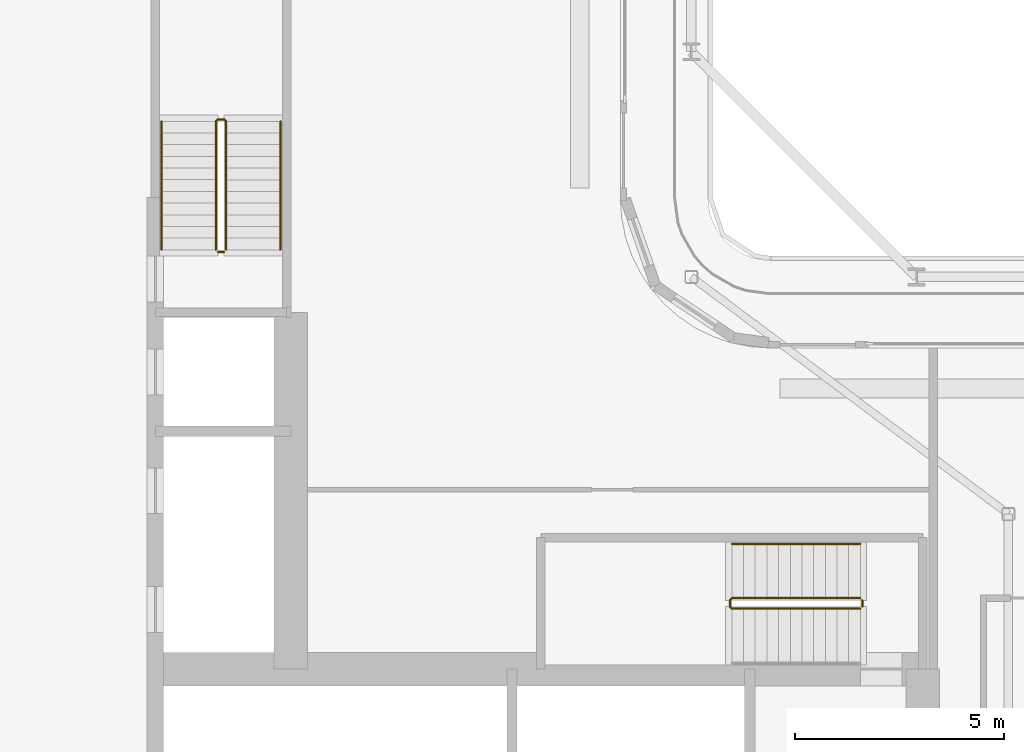
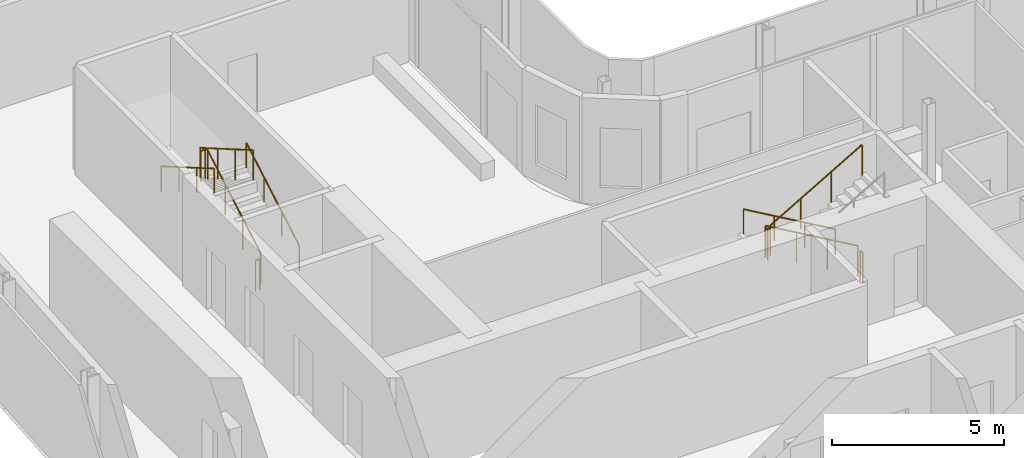
# One storey, part 25 of 30: 7 railings.
"""IFC4 building model written with IfcOpenShell, lengths in metres."""

from ifc_helpers import new_model, si_unit, direction, frame, origin, origin_2d, place, context, subcontext, project, spatial, circle, extrude, material, type_object, element, save


model = new_model("IFC4")

# Units and contexts
model_context = context("Model", 3, precision=1e-05, world=origin(), true_north=direction((0.0, 1.0)))
body_context = subcontext(model_context, "Body", "Model", "MODEL_VIEW")
ifc_project = project(units=[si_unit("LENGTHUNIT", "METRE"), si_unit("AREAUNIT", "SQUARE_METRE"), si_unit("VOLUMEUNIT", "CUBIC_METRE"), si_unit("PLANEANGLEUNIT", "RADIAN"), si_unit("MASSUNIT", "GRAM", prefix="KILO")], contexts=[model_context])

# Site, building, storey
site_placement = place(None, origin())
site = spatial("IfcSite", under=ifc_project, at=site_placement, CompositionType="ELEMENT")
building_placement = place(site_placement, origin())
building = spatial("IfcBuilding", under=site, at=building_placement, Name="Kheshtan School and Residences Tower", CompositionType="ELEMENT")
storey_placement = place(building_placement, frame((0.0, 0.0, 195.5)))
storey = spatial("IfcBuildingStorey", under=building, at=storey_placement, Name="L46", CompositionType="ELEMENT", Elevation=195.5)

# Railings
ifc_material_1 = material(Name="Stainless steel balustrade", Category="steel")
railing_type_1 = type_object("IfcRailingType", Name="Stair guard 1100", PredefinedType="GUARDRAIL", material=ifc_material_1)
railing_1_placement = place(storey_placement, frame((51.64990234375, 37.89990234375, 0.16259765625)))
element("IfcRailing", 1, at=railing_1_placement, inside=storey, type_object=railing_type_1, Name="L46 ST1 stair guard 1", PredefinedType="GUARDRAIL", context=body_context, shape_type="SweptSolid", body=[
    extrude(circle(Radius=0.02392578125, at=origin_2d()), frame((0.0, 0.0, 1.076171875), z_axis=(-0.864903211148, 0.0, 0.501938676878), x_axis=(0.0, -1.0, 0.0)), (0.0, 0.0, 1.0), 3.560791015625),
    extrude(circle(Radius=0.02392578125, at=origin_2d()), frame((-3.079833984375, 0.0, 2.86328125), z_axis=(-0.708833529934, -0.705375805398, 0.0), x_axis=(0.705375805398, -0.708833529934, 0.0)), (0.0, 0.0, 1.0), 0.070556640625),
    extrude(circle(Radius=0.02392578125, at=origin_2d()), frame((-3.1298828125, -0.0498046875, 2.86328125), z_axis=(0.0, -1.0, 0.0), x_axis=(1.0, 0.0, 0.0)), (0.0, 0.0, 1.0), 0.150146484375),
    extrude(circle(Radius=0.02392578125, at=origin_2d()), frame((-3.1298828125, -0.199951171875, 2.86328125), z_axis=(0.282227285176, -0.282227285176, 0.916894497205), x_axis=(0.707106781187, 0.707106781187, 0.0)), (0.0, 0.0, 1.0), 0.17724609375),
    extrude(circle(Radius=0.02392578125, at=origin_2d()), frame((-3.079833984375, -0.25, 3.02587890625), z_axis=(0.864903211148, 0.0, 0.501938676878), x_axis=(0.0, 1.0, 0.0)), (0.0, 0.0, 1.0), 3.560791015625),
    extrude(circle(Radius=0.02099609375, at=origin_2d()), origin(), (0.0, 0.0, 1.0), 1.052001953125),
    extrude(circle(Radius=0.02099609375, at=origin_2d()), frame((-1.026611328125, 0.0, 0.595703125)), (0.0, 0.0, 1.0), 1.052001953125),
    extrude(circle(Radius=0.02099609375, at=origin_2d()), frame((-2.05322265625, 0.0, 1.191650390625)), (0.0, 0.0, 1.0), 1.052001953125),
    extrude(circle(Radius=0.02099609375, at=origin_2d()), frame((-3.079833984375, 0.0, 1.787353515625)), (0.0, 0.0, 1.0), 1.052001953125),
    extrude(circle(Radius=0.02099609375, at=origin_2d()), frame((-3.1298828125, -0.0498046875, 1.787353515625)), (0.0, 0.0, 1.0), 1.052001953125),
    extrude(circle(Radius=0.02099609375, at=origin_2d()), frame((-3.1298828125, -0.199951171875, 1.787353515625)), (0.0, 0.0, 1.0), 1.052001953125),
    extrude(circle(Radius=0.02099609375, at=origin_2d()), frame((-3.079833984375, -0.25, 1.949951171875)), (0.0, 0.0, 1.0), 1.052001953125),
    extrude(circle(Radius=0.02099609375, at=origin_2d()), frame((-2.05322265625, -0.25, 2.545654296875)), (0.0, 0.0, 1.0), 1.052001953125),
    extrude(circle(Radius=0.02099609375, at=origin_2d()), frame((-1.026611328125, -0.25, 3.1416015625)), (0.0, 0.0, 1.0), 1.052001953125),
    extrude(circle(Radius=0.02099609375, at=origin_2d()), frame((0.0, -0.25, 3.7373046875)), (0.0, 0.0, 1.0), 1.052001953125),
])
railing_2_placement = place(storey_placement, frame((51.699951171875, 37.85009765625, 0.0)))
element("IfcRailing", 2, at=railing_2_placement, inside=storey, type_object=railing_type_1, Name="L46 ST1 stair guard 2", PredefinedType="GUARDRAIL", context=body_context, shape_type="SweptSolid", body=[
    extrude(circle(Radius=0.02392578125, at=origin_2d()), frame((0.0, 0.0, 1.076171875), z_axis=(0.0, -1.0, 0.0), x_axis=(1.0, 0.0, 0.0)), (0.0, 0.0, 1.0), 0.150146484375),
    extrude(circle(Radius=0.02099609375, at=origin_2d()), origin(), (0.0, 0.0, 1.0), 1.052001953125),
    extrude(circle(Radius=0.02099609375, at=origin_2d()), frame((0.0, -0.150146484375, 0.0)), (0.0, 0.0, 1.0), 1.052001953125),
])
railing_3_placement = place(storey_placement, frame((36.449951171875, 46.25, 0.16259765625)))
element("IfcRailing", 3, at=railing_3_placement, inside=storey, type_object=railing_type_1, Name="L46 ST2 stair guard 1", PredefinedType="GUARDRAIL", context=body_context, shape_type="SweptSolid", body=[
    extrude(circle(Radius=0.02392578125, at=origin_2d()), frame((0.0, 0.0, 1.076171875), z_axis=(0.0, 0.864920483161, 0.501908913857), x_axis=(-1.0, 0.0, 0.0)), (0.0, 0.0, 1.0), 3.56103515625),
    extrude(circle(Radius=0.02392578125, at=origin_2d()), frame((0.0, 3.080078125, 2.86328125), z_axis=(-0.708833529934, 0.705375805398, 0.0), x_axis=(-0.705375805398, -0.708833529934, 0.0)), (0.0, 0.0, 1.0), 0.070556640625),
    extrude(circle(Radius=0.02392578125, at=origin_2d()), frame((-0.050048828125, 3.1298828125, 2.86328125), z_axis=(-1.0, 0.0, 0.0), x_axis=(0.0, -1.0, 0.0)), (0.0, 0.0, 1.0), 0.14990234375),
    extrude(circle(Radius=0.02392578125, at=origin_2d()), frame((-0.199951171875, 3.1298828125, 2.86328125), z_axis=(-0.282336740067, -0.280959487676, 0.917250092119), x_axis=(0.705375805398, -0.708833529934, 0.0)), (0.0, 0.0, 1.0), 0.17724609375),
    extrude(circle(Radius=0.02392578125, at=origin_2d()), frame((-0.25, 3.080078125, 3.02587890625), z_axis=(0.0, -0.864920483161, 0.501908913857), x_axis=(1.0, 0.0, 0.0)), (0.0, 0.0, 1.0), 3.56103515625),
    extrude(circle(Radius=0.02099609375, at=origin_2d()), origin(), (0.0, 0.0, 1.0), 1.052001953125),
    extrude(circle(Radius=0.02099609375, at=origin_2d()), frame((0.0, 1.026611328125, 0.595703125)), (0.0, 0.0, 1.0), 1.052001953125),
    extrude(circle(Radius=0.02099609375, at=origin_2d()), frame((0.0, 2.053466796875, 1.191650390625)), (0.0, 0.0, 1.0), 1.052001953125),
    extrude(circle(Radius=0.02099609375, at=origin_2d()), frame((0.0, 3.080078125, 1.787353515625)), (0.0, 0.0, 1.0), 1.052001953125),
    extrude(circle(Radius=0.02099609375, at=origin_2d()), frame((-0.050048828125, 3.1298828125, 1.787353515625)), (0.0, 0.0, 1.0), 1.052001953125),
    extrude(circle(Radius=0.02099609375, at=origin_2d()), frame((-0.199951171875, 3.1298828125, 1.787353515625)), (0.0, 0.0, 1.0), 1.052001953125),
    extrude(circle(Radius=0.02099609375, at=origin_2d()), frame((-0.25, 3.080078125, 1.949951171875)), (0.0, 0.0, 1.0), 1.052001953125),
    extrude(circle(Radius=0.02099609375, at=origin_2d()), frame((-0.25, 2.053466796875, 2.545654296875)), (0.0, 0.0, 1.0), 1.052001953125),
    extrude(circle(Radius=0.02099609375, at=origin_2d()), frame((-0.25, 1.026611328125, 3.1416015625)), (0.0, 0.0, 1.0), 1.052001953125),
    extrude(circle(Radius=0.02099609375, at=origin_2d()), frame((-0.25, 0.0, 3.7373046875)), (0.0, 0.0, 1.0), 1.052001953125),
])
railing_4_placement = place(storey_placement, frame((36.39990234375, 46.199951171875, 0.0)))
element("IfcRailing", 4, at=railing_4_placement, inside=storey, type_object=railing_type_1, Name="L46 ST2 stair guard 2", PredefinedType="GUARDRAIL", context=body_context, shape_type="SweptSolid", body=[
    extrude(circle(Radius=0.02392578125, at=origin_2d()), frame((0.0, 0.0, 1.076171875), z_axis=(-1.0, 0.0, 0.0), x_axis=(0.0, -1.0, 0.0)), (0.0, 0.0, 1.0), 0.14990234375),
    extrude(circle(Radius=0.02099609375, at=origin_2d()), origin(), (0.0, 0.0, 1.0), 1.052001953125),
    extrude(circle(Radius=0.02099609375, at=origin_2d()), frame((-0.14990234375, 0.0, 0.0)), (0.0, 0.0, 1.0), 1.052001953125),
])
ifc_material_2 = material(Name="Stainless steel handrail", Category="steel")
railing_type_2 = type_object("IfcRailingType", Name="Stair handrail 900", PredefinedType="HANDRAIL", material=ifc_material_2)
railing_5_placement = place(storey_placement, frame((51.64990234375, 39.199951171875, 0.16259765625)))
element("IfcRailing", 5, at=railing_5_placement, inside=storey, type_object=railing_type_2, Name="L46 ST1 stair handrail 1", PredefinedType="HANDRAIL", context=body_context, shape_type="SweptSolid", body=[
    extrude(circle(Radius=0.02392578125, at=origin_2d()), frame((0.0, 0.0, 0.8759765625), z_axis=(-0.864903211148, 0.0, 0.501938676878), x_axis=(0.0, -1.0, 0.0)), (0.0, 0.0, 1.0), 3.560791015625),
    extrude(circle(Radius=0.02099609375, at=origin_2d()), origin(), (0.0, 0.0, 1.0), 0.851806640625),
    extrude(circle(Radius=0.02099609375, at=origin_2d()), frame((-1.026611328125, 0.0, 0.595703125)), (0.0, 0.0, 1.0), 0.851806640625),
    extrude(circle(Radius=0.02099609375, at=origin_2d()), frame((-2.05322265625, 0.0, 1.191650390625)), (0.0, 0.0, 1.0), 0.851806640625),
    extrude(circle(Radius=0.02099609375, at=origin_2d()), frame((-3.079833984375, 0.0, 1.787353515625)), (0.0, 0.0, 1.0), 0.851806640625),
])
railing_6_placement = place(storey_placement, frame((37.75, 46.25, 0.16259765625)))
element("IfcRailing", 6, at=railing_6_placement, inside=storey, type_object=railing_type_2, Name="L46 ST2 stair handrail 1", PredefinedType="HANDRAIL", context=body_context, shape_type="SweptSolid", body=[
    extrude(circle(Radius=0.02392578125, at=origin_2d()), frame((0.0, 0.0, 0.8759765625), z_axis=(0.0, 0.864920483161, 0.501908913857), x_axis=(-1.0, 0.0, 0.0)), (0.0, 0.0, 1.0), 3.56103515625),
    extrude(circle(Radius=0.02099609375, at=origin_2d()), origin(), (0.0, 0.0, 1.0), 0.851806640625),
    extrude(circle(Radius=0.02099609375, at=origin_2d()), frame((0.0, 1.026611328125, 0.595703125)), (0.0, 0.0, 1.0), 0.851806640625),
    extrude(circle(Radius=0.02099609375, at=origin_2d()), frame((0.0, 2.053466796875, 1.191650390625)), (0.0, 0.0, 1.0), 0.851806640625),
    extrude(circle(Radius=0.02099609375, at=origin_2d()), frame((0.0, 3.080078125, 1.787353515625)), (0.0, 0.0, 1.0), 0.851806640625),
])
railing_7_placement = place(storey_placement, frame((34.89990234375, 49.330078125, 2.112548828125)))
element("IfcRailing", 7, at=railing_7_placement, inside=storey, type_object=railing_type_2, Name="L46 ST2 stair handrail 2", PredefinedType="HANDRAIL", context=body_context, shape_type="SweptSolid", body=[
    extrude(circle(Radius=0.02392578125, at=origin_2d()), frame((0.0, 0.0, 0.8759765625), z_axis=(0.0, -0.864920483161, 0.501908913857), x_axis=(1.0, 0.0, 0.0)), (0.0, 0.0, 1.0), 3.56103515625),
    extrude(circle(Radius=0.02099609375, at=origin_2d()), origin(), (0.0, 0.0, 1.0), 0.851806640625),
    extrude(circle(Radius=0.02099609375, at=origin_2d()), frame((0.0, -1.026611328125, 0.595703125)), (0.0, 0.0, 1.0), 0.851806640625),
    extrude(circle(Radius=0.02099609375, at=origin_2d()), frame((0.0, -2.053466796875, 1.191650390625)), (0.0, 0.0, 1.0), 0.851806640625),
    extrude(circle(Radius=0.02099609375, at=origin_2d()), frame((0.0, -3.080078125, 1.787353515625)), (0.0, 0.0, 1.0), 0.851806640625),
])

save(model, "model.ifc")
